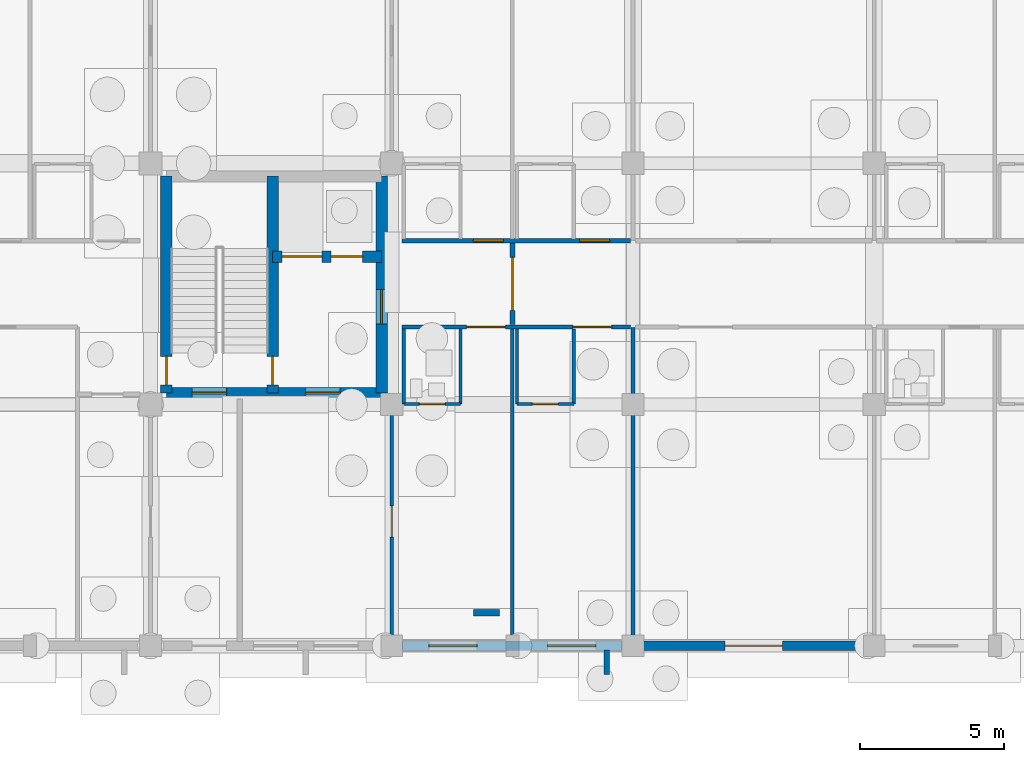
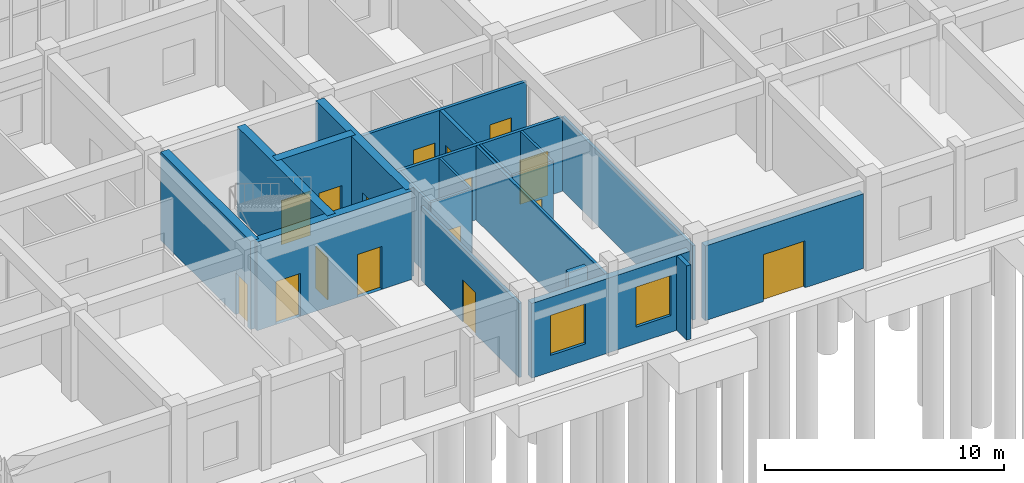
# One storey, part 156 of 192: 21 walls, 16 doors, 2 windows, 18 openings.
"""IFC4 building model written with IfcOpenShell, lengths in metres."""

from ifc_helpers import new_model, si_unit, direction, frame, frame_2d, origin, place, context, subcontext, project, spatial, rectangle, extrude, material, layer, layer_set, type_object, element, fill, save


model = new_model("IFC4")

# Units and contexts
model_context = context("Model", 3, precision=1e-05, world=origin(), true_north=direction((0.0, 1.0)))
body_context = subcontext(model_context, "Body", "Model", "MODEL_VIEW")
ifc_project = project(units=[si_unit("LENGTHUNIT", "METRE"), si_unit("AREAUNIT", "SQUARE_METRE"), si_unit("VOLUMEUNIT", "CUBIC_METRE"), si_unit("PLANEANGLEUNIT", "RADIAN"), si_unit("MASSUNIT", "GRAM", prefix="KILO")], contexts=[model_context])

# Site, building, storey
site_placement = place(None, origin())
site = spatial("IfcSite", under=ifc_project, at=site_placement, CompositionType="ELEMENT")
building_placement = place(site_placement, origin())
building = spatial("IfcBuilding", under=site, at=building_placement, Name="Trelvath General Hospital", CompositionType="ELEMENT")
storey_placement = place(building_placement, origin())
storey = spatial("IfcBuildingStorey", under=building, at=storey_placement, Name="L00", CompositionType="ELEMENT", Elevation=0.0)

# Wall
ifc_material_1 = material(Name="Precast concrete C40/50", Category="concrete")
ifc_layer_1 = layer(ifc_material_1, 0.199951171875)
ifc_layer_set_1 = layer_set([ifc_layer_1], Name="Precast concrete C40/50")
wall_type_1 = type_object("IfcWallType", Name="BriseSoleilRib 200", PredefinedType="ELEMENTEDWALL", material=ifc_layer_set_1)
wall_1_placement = place(storey_placement, frame((108.28955078125, -0.14990234375, 0.0), z_axis=(0.0, 0.0, 1.0), x_axis=(0.0, -1.0, 0.0)))
element("IfcWall", 1, at=wall_1_placement, inside=storey, type_object=wall_type_1, Name="Precast Concrete Brise-Soleil Rib Fin L00-44", PredefinedType="ELEMENTEDWALL", context=body_context, shape_type="SweptSolid", body=[
    extrude(rectangle(XDim=0.85009765625, YDim=0.199951171875, at=frame_2d((0.425048828125, 0.0))), origin(), (0.0, 0.0, 1.0), 3.800048828125),
])

# Wall, openings, doors
ifc_material_2 = material(Name="Gypsum acoustic steel-stud partition", Category="steel")
ifc_layer_2 = layer(ifc_material_2, 0.14990234375)
ifc_layer_set_2 = layer_set([ifc_layer_2], Name="Gypsum acoustic steel-stud partition")
wall_type_2 = type_object("IfcWallType", Name="ClinicalPartition 150", PredefinedType="PARTITIONING", material=ifc_layer_set_2)
wall_2_placement = place(storey_placement, frame((101.159912109375, 11.10009765625, 0.0), z_axis=(0.0, 0.0, 1.0), x_axis=(1.0, 0.0, 0.0)))
wall_2 = element("IfcWall", 2, at=wall_2_placement, inside=storey, type_object=wall_type_2, Name="Corridor Partition L00-114", PredefinedType="PARTITIONING", context=body_context, shape_type="SweptSolid", body=[
    extrude(rectangle(XDim=7.960205078125, YDim=0.14990234375, at=frame_2d((3.97998046875, 0.0))), origin(), (0.0, 0.0, 1.0), 3.800048828125),
])
opening_1_placement = place(wall_2_placement, frame((2.25, 0.0, 0.0)))
opening_1 = element("IfcOpeningElement", 3, at=opening_1_placement, cuts=wall_2, Name="Opening D-0-0339", PredefinedType="OPENING", context=body_context, shape_type="SweptSolid", body=[
    extrude(rectangle(XDim=1.35009765625, YDim=2.25, at=frame_2d((0.675048828125, 1.125))), frame((0.0, 0.0849609375, 0.0), z_axis=(0.0, -1.0, 0.0), x_axis=(1.0, 0.0, 0.0)), (0.0, 0.0, 1.0), 0.169921875),
])
opening_2_placement = place(wall_2_placement, frame((5.949951171875, 0.0, 0.0)))
opening_2 = element("IfcOpeningElement", 4, at=opening_2_placement, cuts=wall_2, Name="Opening D-0-0340", PredefinedType="OPENING", context=body_context, shape_type="SweptSolid", body=[
    extrude(rectangle(XDim=1.35009765625, YDim=2.25, at=frame_2d((0.675048828125, 1.125))), frame((0.0, 0.0849609375, 0.0), z_axis=(0.0, -1.0, 0.0), x_axis=(1.0, 0.0, 0.0)), (0.0, 0.0, 1.0), 0.169921875),
])
ifc_material_3 = material(Name="Airtight isolation bed door")
door_type_1 = type_object("IfcDoorType", Name="Door PatientIso 1350x2250", OperationType="NOTDEFINED", PredefinedType="DOOR", material=ifc_material_3)
door_1_placement = place(opening_1_placement, origin())
door_1 = element("IfcDoor", 5, at=door_1_placement, inside=storey, type_object=door_type_1, Name="Patient Room Door L00-339", OperationType="SINGLE_SWING_LEFT", OverallHeight=2.25, OverallWidth=1.35009765625, PredefinedType="DOOR", context=body_context, shape_type="SweptSolid", body=[
    extrude(rectangle(XDim=1.35009765625, YDim=2.25, at=frame_2d((0.675048828125, 1.125))), frame((0.0, 0.02490234375, 0.0), z_axis=(0.0, -1.0, 0.0), x_axis=(1.0, 0.0, 0.0)), (0.0, 0.0, 1.0), 0.050048828125),
])
fill(opening_1, door_1)
door_2_placement = place(opening_2_placement, origin())
door_2 = element("IfcDoor", 6, at=door_2_placement, inside=storey, type_object=door_type_1, Name="Patient Room Door L00-340", OperationType="SINGLE_SWING_RIGHT", OverallHeight=2.25, OverallWidth=1.35009765625, PredefinedType="DOOR", context=body_context, shape_type="SweptSolid", body=[
    extrude(rectangle(XDim=1.35009765625, YDim=2.25, at=frame_2d((0.675048828125, 1.125))), frame((0.0, 0.02490234375, 0.0), z_axis=(0.0, -1.0, 0.0), x_axis=(1.0, 0.0, 0.0)), (0.0, 0.0, 1.0), 0.050048828125),
])
fill(opening_2, door_2)

wall_3_placement = place(storey_placement, frame((109.1201171875, 14.10009765625, 0.0), z_axis=(0.0, 0.0, 1.0), x_axis=(-1.0, 0.0, 0.0)))
wall_3 = element("IfcWall", 7, at=wall_3_placement, inside=storey, type_object=wall_type_2, Name="Corridor Partition N L00-123", PredefinedType="PARTITIONING", context=body_context, shape_type="SweptSolid", body=[
    extrude(rectangle(XDim=7.960205078125, YDim=0.14990234375, at=frame_2d((3.97998046875, 0.0))), origin(), (0.0, 0.0, 1.0), 3.800048828125),
])
opening_3_placement = place(wall_3_placement, frame((0.72998046875, 0.0, 0.0)))
opening_3 = element("IfcOpeningElement", 8, at=opening_3_placement, cuts=wall_3, Name="Opening D-0-0343", PredefinedType="OPENING", context=body_context, shape_type="SweptSolid", body=[
    extrude(rectangle(XDim=1.050048828125, YDim=2.199951171875, at=frame_2d((0.52490234375, 1.10009765625))), frame((0.0, 0.0849609375, 0.0), z_axis=(0.0, -1.0, 0.0), x_axis=(1.0, 0.0, 0.0)), (0.0, 0.0, 1.0), 0.169921875),
])
opening_4_placement = place(wall_3_placement, frame((4.429931640625, 0.0, 0.0)))
opening_4 = element("IfcOpeningElement", 9, at=opening_4_placement, cuts=wall_3, Name="Opening D-0-0344", PredefinedType="OPENING", context=body_context, shape_type="SweptSolid", body=[
    extrude(rectangle(XDim=1.050048828125, YDim=2.199951171875, at=frame_2d((0.52490234375, 1.10009765625))), frame((0.0, 0.0849609375, 0.0), z_axis=(0.0, -1.0, 0.0), x_axis=(1.0, 0.0, 0.0)), (0.0, 0.0, 1.0), 0.169921875),
])
ifc_material_4 = material(Name="Acoustic hospital timber leaf", Category="wood")
door_type_2 = type_object("IfcDoorType", Name="Door Consult 1050x2200", OperationType="NOTDEFINED", PredefinedType="DOOR", material=ifc_material_4)
door_3_placement = place(opening_3_placement, origin())
door_3 = element("IfcDoor", 10, at=door_3_placement, inside=storey, type_object=door_type_2, Name="Patient Room Door N L00-343", OperationType="SINGLE_SWING_LEFT", OverallHeight=2.199951171875, OverallWidth=1.050048828125, PredefinedType="DOOR", context=body_context, shape_type="SweptSolid", body=[
    extrude(rectangle(XDim=1.050048828125, YDim=2.199951171875, at=frame_2d((0.52490234375, 1.10009765625))), frame((0.0, 0.02490234375, 0.0), z_axis=(0.0, -1.0, 0.0), x_axis=(1.0, 0.0, 0.0)), (0.0, 0.0, 1.0), 0.050048828125),
])
fill(opening_3, door_3)
door_4_placement = place(opening_4_placement, origin())
door_4 = element("IfcDoor", 11, at=door_4_placement, inside=storey, type_object=door_type_2, Name="Patient Room Door N L00-344", OperationType="SINGLE_SWING_LEFT", OverallHeight=2.199951171875, OverallWidth=1.050048828125, PredefinedType="DOOR", context=body_context, shape_type="SweptSolid", body=[
    extrude(rectangle(XDim=1.050048828125, YDim=2.199951171875, at=frame_2d((0.52490234375, 1.10009765625))), frame((0.0, 0.02490234375, 0.0), z_axis=(0.0, -1.0, 0.0), x_axis=(1.0, 0.0, 0.0)), (0.0, 0.0, 1.0), 0.050048828125),
])
fill(opening_4, door_4)

ifc_material_5 = material(Name="Concrete C40/50", Category="concrete")
ifc_layer_3 = layer(ifc_material_5, 0.39990234375)
ifc_layer_set_3 = layer_set([ifc_layer_3], Name="Concrete C40/50")
wall_type_3 = type_object("IfcWallType", Name="CoreShearWall 400", PredefinedType="SHEAR", material=ifc_layer_set_3)
wall_4_placement = place(storey_placement, frame((92.949951171875, 8.800048828125, 0.0), z_axis=(0.0, 0.0, 1.0), x_axis=(1.0, 0.0, 0.0)))
wall_4 = element("IfcWall", 12, at=wall_4_placement, inside=storey, type_object=wall_type_3, Name="Core Shear Wall C5 S L00", PredefinedType="SHEAR", context=body_context, shape_type="SweptSolid", body=[
    extrude(rectangle(XDim=7.5, YDim=0.39990234375, at=frame_2d((3.75, 0.0))), origin(), (0.0, 0.0, 1.0), 4.52001953125),
])
opening_5_placement = place(wall_4_placement, frame((4.85009765625, 0.0, 0.0)))
opening_5 = element("IfcOpeningElement", 13, at=opening_5_placement, cuts=wall_4, Name="Opening FD-LS50", PredefinedType="OPENING", context=body_context, shape_type="SweptSolid", body=[
    extrude(rectangle(XDim=1.199951171875, YDim=2.199951171875, at=frame_2d((0.60009765625, 1.10009765625))), frame((0.0, 0.2099609375, 0.0), z_axis=(0.0, -1.0, 0.0), x_axis=(1.0, 0.0, 0.0)), (0.0, 0.0, 1.0), 0.419921875),
])
opening_6_placement = place(wall_4_placement, frame((0.89990234375, 0.0, 0.0)))
opening_6 = element("IfcOpeningElement", 14, at=opening_6_placement, cuts=wall_4, Name="Opening FD-EX5", PredefinedType="OPENING", context=body_context, shape_type="SweptSolid", body=[
    extrude(rectangle(XDim=1.199951171875, YDim=2.199951171875, at=frame_2d((0.60009765625, 1.10009765625))), frame((0.0, 0.2099609375, 0.0), z_axis=(0.0, -1.0, 0.0), x_axis=(1.0, 0.0, 0.0)), (0.0, 0.0, 1.0), 0.419921875),
])
ifc_material_6 = material(Name="Fire-rated steel door", Category="steel")
door_type_3 = type_object("IfcDoorType", Name="Door FireLobby 1200x2200", OperationType="NOTDEFINED", PredefinedType="DOOR", material=ifc_material_6)
door_5_placement = place(opening_5_placement, origin())
door_5 = element("IfcDoor", 15, at=door_5_placement, inside=storey, type_object=door_type_3, Name="Fire Lobby South Door C5 L00", OperationType="SINGLE_SWING_LEFT", OverallHeight=2.199951171875, OverallWidth=1.199951171875, PredefinedType="DOOR", context=body_context, shape_type="SweptSolid", body=[
    extrude(rectangle(XDim=1.199951171875, YDim=2.199951171875, at=frame_2d((0.60009765625, 1.10009765625))), frame((0.0, 0.02490234375, 0.0), z_axis=(0.0, -1.0, 0.0), x_axis=(1.0, 0.0, 0.0)), (0.0, 0.0, 1.0), 0.050048828125),
])
fill(opening_5, door_5)
door_6_placement = place(opening_6_placement, origin())
door_6 = element("IfcDoor", 16, at=door_6_placement, inside=storey, type_object=door_type_3, Name="Exit Stair Discharge Door ST5 L00", OperationType="SINGLE_SWING_RIGHT", OverallHeight=2.199951171875, OverallWidth=1.199951171875, PredefinedType="DOOR", context=body_context, shape_type="SweptSolid", body=[
    extrude(rectangle(XDim=1.199951171875, YDim=2.199951171875, at=frame_2d((0.60009765625, 1.10009765625))), frame((0.0, 0.02490234375, 0.0), z_axis=(0.0, -1.0, 0.0), x_axis=(1.0, 0.0, 0.0)), (0.0, 0.0, 1.0), 0.050048828125),
])
fill(opening_6, door_6)

# Wall, opening, door
wall_5_placement = place(storey_placement, frame((92.949951171875, 8.800048828125, 0.0), z_axis=(0.0, 0.0, 1.0), x_axis=(0.0, 1.0, 0.0)))
wall_5 = element("IfcWall", 17, at=wall_5_placement, inside=storey, type_object=wall_type_3, Name="Core Shear Wall C5 W L00", PredefinedType="SHEAR", context=body_context, shape_type="SweptSolid", body=[
    extrude(rectangle(XDim=7.550048828125, YDim=0.39990234375, at=frame_2d((3.77490234375, 0.0))), origin(), (0.0, 0.0, 1.0), 4.52001953125),
])
opening_7_placement = place(wall_5_placement, frame((0.280029296875, 0.0, 0.0)))
opening_7 = element("IfcOpeningElement", 18, at=opening_7_placement, cuts=wall_5, Name="Opening FD-SW50", PredefinedType="OPENING", context=body_context, shape_type="SweptSolid", body=[
    extrude(rectangle(XDim=1.0, YDim=2.14990234375, at=frame_2d((0.5, 1.074951171875))), frame((0.0, 0.2099609375, 0.0), z_axis=(0.0, -1.0, 0.0), x_axis=(1.0, 0.0, 0.0)), (0.0, 0.0, 1.0), 0.419921875),
])
ifc_material_7 = material(Name="Fire-rated steel door", Category="steel")
door_type_4 = type_object("IfcDoorType", Name="Door FireStair 1100x2150", OperationType="NOTDEFINED", PredefinedType="DOOR", material=ifc_material_7)
door_7_placement = place(opening_7_placement, origin())
door_7 = element("IfcDoor", 19, at=door_7_placement, inside=storey, type_object=door_type_4, Name="West Corridor Stair Door ST5 L00", OperationType="SINGLE_SWING_RIGHT", OverallHeight=2.14990234375, OverallWidth=1.0, PredefinedType="DOOR", context=body_context, shape_type="SweptSolid", body=[
    extrude(rectangle(XDim=1.0, YDim=2.14990234375, at=frame_2d((0.5, 1.074951171875))), frame((0.0, 0.02490234375, 0.0), z_axis=(0.0, -1.0, 0.0), x_axis=(1.0, 0.0, 0.0)), (0.0, 0.0, 1.0), 0.050048828125),
])
fill(opening_7, door_7)

wall_6_placement = place(storey_placement, frame((100.449951171875, 8.800048828125, 0.0), z_axis=(0.0, 0.0, 1.0), x_axis=(0.0, 1.0, 0.0)))
wall_6 = element("IfcWall", 20, at=wall_6_placement, inside=storey, type_object=wall_type_3, Name="Core Shear Wall C5 E L00", PredefinedType="SHEAR", context=body_context, shape_type="SweptSolid", body=[
    extrude(rectangle(XDim=7.550048828125, YDim=0.39990234375, at=frame_2d((3.77490234375, 0.0))), origin(), (0.0, 0.0, 1.0), 4.52001953125),
])
opening_8_placement = place(wall_6_placement, frame((2.39990234375, 0.0, 0.0)))
opening_8 = element("IfcOpeningElement", 21, at=opening_8_placement, cuts=wall_6, Name="Opening FD-LE50", PredefinedType="OPENING", context=body_context, shape_type="SweptSolid", body=[
    extrude(rectangle(XDim=1.199951171875, YDim=2.199951171875, at=frame_2d((0.60009765625, 1.10009765625))), frame((0.0, 0.2099609375, 0.0), z_axis=(0.0, -1.0, 0.0), x_axis=(1.0, 0.0, 0.0)), (0.0, 0.0, 1.0), 0.419921875),
])
door_8_placement = place(opening_8_placement, origin())
door_8 = element("IfcDoor", 22, at=door_8_placement, inside=storey, type_object=door_type_3, Name="Fire Lobby East Corridor Door C5 L00", OperationType="SINGLE_SWING_RIGHT", OverallHeight=2.199951171875, OverallWidth=1.199951171875, PredefinedType="DOOR", context=body_context, shape_type="SweptSolid", body=[
    extrude(rectangle(XDim=1.199951171875, YDim=2.199951171875, at=frame_2d((0.60009765625, 1.10009765625))), frame((0.0, 0.02490234375, 0.0), z_axis=(0.0, -1.0, 0.0), x_axis=(1.0, 0.0, 0.0)), (0.0, 0.0, 1.0), 0.050048828125),
])
fill(opening_8, door_8)

wall_7_placement = place(storey_placement, frame((96.64990234375, 8.800048828125, 0.0), z_axis=(0.0, 0.0, 1.0), x_axis=(0.0, 1.0, 0.0)))
wall_7 = element("IfcWall", 23, at=wall_7_placement, inside=storey, type_object=wall_type_3, Name="Core Shear Wall C5 SPINE L00", PredefinedType="SHEAR", context=body_context, shape_type="SweptSolid", body=[
    extrude(rectangle(XDim=7.550048828125, YDim=0.39990234375, at=frame_2d((3.77490234375, 0.0))), origin(), (0.0, 0.0, 1.0), 4.52001953125),
])
opening_9_placement = place(wall_7_placement, frame((0.280029296875, 0.0, 0.0)))
opening_9 = element("IfcOpeningElement", 24, at=opening_9_placement, cuts=wall_7, Name="Opening FD-S50", PredefinedType="OPENING", context=body_context, shape_type="SweptSolid", body=[
    extrude(rectangle(XDim=1.0, YDim=2.14990234375, at=frame_2d((0.5, 1.074951171875))), frame((0.0, 0.2099609375, 0.0), z_axis=(0.0, -1.0, 0.0), x_axis=(1.0, 0.0, 0.0)), (0.0, 0.0, 1.0), 0.419921875),
])
door_9_placement = place(opening_9_placement, origin())
door_9 = element("IfcDoor", 25, at=door_9_placement, inside=storey, type_object=door_type_4, Name="Exit Stair Door ST5 L00", OperationType="SINGLE_SWING_LEFT", OverallHeight=2.14990234375, OverallWidth=1.0, PredefinedType="DOOR", context=body_context, shape_type="SweptSolid", body=[
    extrude(rectangle(XDim=1.0, YDim=2.14990234375, at=frame_2d((0.5, 1.074951171875))), frame((0.0, 0.02490234375, 0.0), z_axis=(0.0, -1.0, 0.0), x_axis=(1.0, 0.0, 0.0)), (0.0, 0.0, 1.0), 0.050048828125),
])
fill(opening_9, door_9)

# Wall, openings, doors
wall_8_placement = place(storey_placement, frame((96.64990234375, 13.550048828125, 0.0), z_axis=(0.0, 0.0, 1.0), x_axis=(1.0, 0.0, 0.0)))
wall_8 = element("IfcWall", 26, at=wall_8_placement, inside=storey, type_object=wall_type_3, Name="Core Shear Wall C5 SHAFT L00", PredefinedType="SHEAR", context=body_context, shape_type="SweptSolid", body=[
    extrude(rectangle(XDim=3.800048828125, YDim=0.39990234375, at=frame_2d((1.89990234375, 0.0))), origin(), (0.0, 0.0, 1.0), 4.52001953125),
])
opening_10_placement = place(wall_8_placement, frame((0.320068359375, 0.0, 0.0)))
opening_10 = element("IfcOpeningElement", 27, at=opening_10_placement, cuts=wall_8, Name="Opening LD-BD4-0", PredefinedType="OPENING", context=body_context, shape_type="SweptSolid", body=[
    extrude(rectangle(XDim=1.39990234375, YDim=2.25, at=frame_2d((0.699951171875, 1.125))), frame((0.0, 0.2099609375, 0.0), z_axis=(0.0, -1.0, 0.0), x_axis=(1.0, 0.0, 0.0)), (0.0, 0.0, 1.0), 0.419921875),
])
opening_11_placement = place(wall_8_placement, frame((2.0400390625, 0.0, 0.0)))
opening_11 = element("IfcOpeningElement", 28, at=opening_11_placement, cuts=wall_8, Name="Opening LD-PA2-0", PredefinedType="OPENING", context=body_context, shape_type="SweptSolid", body=[
    extrude(rectangle(XDim=1.10009765625, YDim=2.14990234375, at=frame_2d((0.550048828125, 1.074951171875))), frame((0.0, 0.2099609375, 0.0), z_axis=(0.0, -1.0, 0.0), x_axis=(1.0, 0.0, 0.0)), (0.0, 0.0, 1.0), 0.419921875),
])
ifc_material_8 = material(Name="Stainless steel stretcher lift landing door", Category="steel")
door_type_5 = type_object("IfcDoorType", Name="Door LiftBed 1400x2250", OperationType="SLIDING_TO_LEFT", PredefinedType="DOOR", material=ifc_material_8)
door_10_placement = place(opening_10_placement, origin())
door_10 = element("IfcDoor", 29, at=door_10_placement, inside=storey, type_object=door_type_5, Name="Lift Landing Sliding Door LF-BD4 L00", OperationType="SLIDING_TO_LEFT", OverallHeight=2.25, OverallWidth=1.39990234375, PredefinedType="DOOR", context=body_context, shape_type="SweptSolid", body=[
    extrude(rectangle(XDim=1.39990234375, YDim=2.25, at=frame_2d((0.699951171875, 1.125))), frame((0.0, 0.02490234375, 0.0), z_axis=(0.0, -1.0, 0.0), x_axis=(1.0, 0.0, 0.0)), (0.0, 0.0, 1.0), 0.050048828125),
])
fill(opening_10, door_10)
ifc_material_9 = material(Name="Stainless steel lift landing sliding door", Category="steel")
door_type_6 = type_object("IfcDoorType", Name="Door LiftLanding 1100x2150", OperationType="SLIDING_TO_LEFT", PredefinedType="DOOR", material=ifc_material_9)
door_11_placement = place(opening_11_placement, origin())
door_11 = element("IfcDoor", 30, at=door_11_placement, inside=storey, type_object=door_type_6, Name="Lift Landing Sliding Door LF-PA2 L00", OperationType="SLIDING_TO_LEFT", OverallHeight=2.14990234375, OverallWidth=1.10009765625, PredefinedType="DOOR", context=body_context, shape_type="SweptSolid", body=[
    extrude(rectangle(XDim=1.10009765625, YDim=2.14990234375, at=frame_2d((0.550048828125, 1.074951171875))), frame((0.0, 0.02490234375, 0.0), z_axis=(0.0, -1.0, 0.0), x_axis=(1.0, 0.0, 0.0)), (0.0, 0.0, 1.0), 0.050048828125),
])
fill(opening_11, door_11)

# Walls
ifc_material_10 = material(Name="Moisture-resistant tile partition")
ifc_layer_4 = layer(ifc_material_10, 0.110107421875)
ifc_layer_set_4 = layer_set([ifc_layer_4], Name="Moisture-resistant tile partition")
wall_type_4 = type_object("IfcWallType", Name="EnSuiteWetWall 110", PredefinedType="PARTITIONING", material=ifc_layer_set_4)
for number, where, z_axis, x_axis, name in (
    (31, (101.219970703125, 8.419921875, 0.0), (0.0, 0.0, 1.0), (0.0, 1.0, 0.0), "En-Suite W Wall L00-116"),
    (32, (103.199951171875, 8.419921875, 0.0), (0.0, 0.0, 1.0), (0.0, 1.0, 0.0), "En-Suite E Wall L00-117"),
):
    element("IfcWall", number, at=place(storey_placement, frame(where, z_axis=z_axis, x_axis=x_axis)), inside=storey, type_object=wall_type_4, Name=name, PredefinedType="PARTITIONING", context=body_context, shape_type="SweptSolid", body=[
        extrude(rectangle(XDim=2.610107421875, YDim=0.110107421875, at=frame_2d((1.30517578125, 0.0))), origin(), (0.0, 0.0, 1.0), 3.800048828125),
    ])

# Wall, opening, door
wall_9_placement = place(storey_placement, frame((101.219970703125, 8.419921875, 0.0), z_axis=(0.0, 0.0, 1.0), x_axis=(1.0, 0.0, 0.0)))
wall_9 = element("IfcWall", 33, at=wall_9_placement, inside=storey, type_object=wall_type_4, Name="En-Suite Bathroom Partition L00-118", PredefinedType="PARTITIONING", context=body_context, shape_type="SweptSolid", body=[
    extrude(rectangle(XDim=1.97998046875, YDim=0.110107421875, at=frame_2d((0.989990234375, 0.0))), origin(), (0.0, 0.0, 1.0), 3.800048828125),
])
opening_12_placement = place(wall_9_placement, frame((0.5400390625, 0.0, 0.0)))
opening_12 = element("IfcOpeningElement", 34, at=opening_12_placement, cuts=wall_9, Name="Opening D-0-0341", PredefinedType="OPENING", context=body_context, shape_type="SweptSolid", body=[
    extrude(rectangle(XDim=0.89990234375, YDim=2.10009765625, at=frame_2d((0.449951171875, 1.050048828125))), frame((0.0, 0.06494140625, 0.0), z_axis=(0.0, -1.0, 0.0), x_axis=(1.0, 0.0, 0.0)), (0.0, 0.0, 1.0), 0.130126953125),
])
ifc_material_11 = material(Name="Moisture-sealed timber leaf", Category="wood")
door_type_7 = type_object("IfcDoorType", Name="Door EnSuite 900x2100", OperationType="NOTDEFINED", PredefinedType="DOOR", material=ifc_material_11)
door_12_placement = place(opening_12_placement, origin())
door_12 = element("IfcDoor", 35, at=door_12_placement, inside=storey, type_object=door_type_7, Name="En-Suite Bathroom Door L00-341", OperationType="SINGLE_SWING_LEFT", OverallHeight=2.10009765625, OverallWidth=0.89990234375, PredefinedType="DOOR", context=body_context, shape_type="SweptSolid", body=[
    extrude(rectangle(XDim=0.89990234375, YDim=2.10009765625, at=frame_2d((0.449951171875, 1.050048828125))), frame((0.0, 0.02490234375, 0.0), z_axis=(0.0, -1.0, 0.0), x_axis=(1.0, 0.0, 0.0)), (0.0, 0.0, 1.0), 0.050048828125),
])
fill(opening_12, door_12)

# Walls
for number, where, z_axis, x_axis, name in (
    (36, (105.159912109375, 8.419921875, 0.0), (0.0, 0.0, 1.0), (0.0, 1.0, 0.0), "En-Suite W Wall L00-119"),
    (37, (107.139892578125, 8.419921875, 0.0), (0.0, 0.0, 1.0), (0.0, 1.0, 0.0), "En-Suite E Wall L00-120"),
):
    element("IfcWall", number, at=place(storey_placement, frame(where, z_axis=z_axis, x_axis=x_axis)), inside=storey, type_object=wall_type_4, Name=name, PredefinedType="PARTITIONING", context=body_context, shape_type="SweptSolid", body=[
        extrude(rectangle(XDim=2.610107421875, YDim=0.110107421875, at=frame_2d((1.30517578125, 0.0))), origin(), (0.0, 0.0, 1.0), 3.800048828125),
    ])

# Wall, opening, door
wall_10_placement = place(storey_placement, frame((105.159912109375, 8.419921875, 0.0), z_axis=(0.0, 0.0, 1.0), x_axis=(1.0, 0.0, 0.0)))
wall_10 = element("IfcWall", 38, at=wall_10_placement, inside=storey, type_object=wall_type_4, Name="En-Suite Bathroom Partition L00-121", PredefinedType="PARTITIONING", context=body_context, shape_type="SweptSolid", body=[
    extrude(rectangle(XDim=1.97998046875, YDim=0.110107421875, at=frame_2d((0.989990234375, 0.0))), origin(), (0.0, 0.0, 1.0), 3.800048828125),
])
opening_13_placement = place(wall_10_placement, frame((0.5400390625, 0.0, 0.0)))
opening_13 = element("IfcOpeningElement", 39, at=opening_13_placement, cuts=wall_10, Name="Opening D-0-0342", PredefinedType="OPENING", context=body_context, shape_type="SweptSolid", body=[
    extrude(rectangle(XDim=0.89990234375, YDim=2.10009765625, at=frame_2d((0.449951171875, 1.050048828125))), frame((0.0, 0.06494140625, 0.0), z_axis=(0.0, -1.0, 0.0), x_axis=(1.0, 0.0, 0.0)), (0.0, 0.0, 1.0), 0.130126953125),
])
door_13_placement = place(opening_13_placement, origin())
door_13 = element("IfcDoor", 40, at=door_13_placement, inside=storey, type_object=door_type_7, Name="En-Suite Bathroom Door L00-342", OperationType="SINGLE_SWING_RIGHT", OverallHeight=2.10009765625, OverallWidth=0.89990234375, PredefinedType="DOOR", context=body_context, shape_type="SweptSolid", body=[
    extrude(rectangle(XDim=0.89990234375, YDim=2.10009765625, at=frame_2d((0.449951171875, 1.050048828125))), frame((0.0, 0.02490234375, 0.0), z_axis=(0.0, -1.0, 0.0), x_axis=(1.0, 0.0, 0.0)), (0.0, 0.0, 1.0), 0.050048828125),
])
fill(opening_13, door_13)

# Wall, openings, windows
ifc_material_12 = material(Name="Concrete C35/45", Category="concrete")
ifc_layer_5 = layer(ifc_material_12, 0.320068359375)
ifc_layer_set_5 = layer_set([ifc_layer_5], Name="Concrete C35/45")
wall_type_5 = type_object("IfcWallType", Name="ExtThermalWall 320", PredefinedType="SOLIDWALL", material=ifc_layer_set_5)
wall_11_placement = place(storey_placement, frame((108.824951171875, 0.0, 0.0), z_axis=(0.0, 0.0, 1.0), x_axis=(-1.0, 0.0, 0.0)))
wall_11 = element("IfcWall", 41, at=wall_11_placement, inside=storey, type_object=wall_type_5, Name="Exterior Concrete Wall L00-68", PredefinedType="SOLIDWALL", context=body_context, shape_type="SweptSolid", body=[
    extrude(rectangle(XDim=7.64990234375, YDim=0.320068359375, at=frame_2d((3.824951171875, 0.0))), origin(), (0.0, 0.0, 1.0), 3.820068359375),
])
opening_14_placement = place(wall_11_placement, frame((0.91943359375, 0.0, 0.85009765625)))
opening_14 = element("IfcOpeningElement", 42, at=opening_14_placement, cuts=wall_11, Name="Opening WN-0-095", PredefinedType="OPENING", context=body_context, shape_type="SweptSolid", body=[
    extrude(rectangle(XDim=1.679931640625, YDim=2.050048828125, at=frame_2d((0.83984375, 1.02490234375))), frame((0.0, 0.169921875, 0.0), z_axis=(0.0, -1.0, 0.0), x_axis=(1.0, 0.0, 0.0)), (0.0, 0.0, 1.0), 0.340087890625),
])
opening_15_placement = place(wall_11_placement, frame((5.050537109375, 0.0, 0.85009765625)))
opening_15 = element("IfcOpeningElement", 43, at=opening_15_placement, cuts=wall_11, Name="Opening WN-0-096", PredefinedType="OPENING", context=body_context, shape_type="SweptSolid", body=[
    extrude(rectangle(XDim=1.679931640625, YDim=2.050048828125, at=frame_2d((0.83984375, 1.02490234375))), frame((0.0, 0.169921875, 0.0), z_axis=(0.0, -1.0, 0.0), x_axis=(1.0, 0.0, 0.0)), (0.0, 0.0, 1.0), 0.340087890625),
])
ifc_material_13 = material(Name="Low-E laminated glass", Category="glass")
window_type = type_object("IfcWindowType", Name="Window Cafe 1680x2050", PartitioningType="DOUBLE_PANEL_VERTICAL", PredefinedType="WINDOW", material=ifc_material_13)
window_1_placement = place(opening_14_placement, origin())
window_1 = element("IfcWindow", 44, at=window_1_placement, inside=storey, type_object=window_type, Name="Solar Reveal Window L00-95", OverallHeight=2.050048828125, OverallWidth=1.679931640625, PartitioningType="SINGLE_PANEL", PredefinedType="WINDOW", context=body_context, shape_type="SweptSolid", body=[
    extrude(rectangle(XDim=1.679931640625, YDim=2.050048828125, at=frame_2d((0.83984375, 1.02490234375))), frame((0.0, 0.030029296875, 0.0), z_axis=(0.0, -1.0, 0.0), x_axis=(1.0, 0.0, 0.0)), (0.0, 0.0, 1.0), 0.06005859375),
])
fill(opening_14, window_1)
window_2_placement = place(opening_15_placement, origin())
window_2 = element("IfcWindow", 45, at=window_2_placement, inside=storey, type_object=window_type, Name="Solar Reveal Window L00-96", OverallHeight=2.050048828125, OverallWidth=1.679931640625, PartitioningType="SINGLE_PANEL", PredefinedType="WINDOW", context=body_context, shape_type="SweptSolid", body=[
    extrude(rectangle(XDim=1.679931640625, YDim=2.050048828125, at=frame_2d((0.83984375, 1.02490234375))), frame((0.0, 0.030029296875, 0.0), z_axis=(0.0, -1.0, 0.0), x_axis=(1.0, 0.0, 0.0)), (0.0, 0.0, 1.0), 0.06005859375),
])
fill(opening_15, window_2)

# Wall, opening, door
wall_12_placement = place(storey_placement, frame((117.22509765625, 0.0, 0.0), z_axis=(0.0, 0.0, 1.0), x_axis=(-1.0, 0.0, 0.0)))
wall_12 = element("IfcWall", 46, at=wall_12_placement, inside=storey, type_object=wall_type_5, Name="Exterior Concrete Wall L00-72", PredefinedType="SOLIDWALL", context=body_context, shape_type="SweptSolid", body=[
    extrude(rectangle(XDim=7.650146484375, YDim=0.320068359375, at=frame_2d((3.8251953125, 0.0))), origin(), (0.0, 0.0, 1.0), 3.820068359375),
])
opening_16_placement = place(wall_12_placement, frame((2.824951171875, 0.0, 0.0)))
opening_16 = element("IfcOpeningElement", 47, at=opening_16_placement, cuts=wall_12, Name="Opening E08", PredefinedType="OPENING", context=body_context, shape_type="SweptSolid", body=[
    extrude(rectangle(XDim=2.0, YDim=2.39990234375, at=frame_2d((1.0, 1.199951171875))), frame((0.0, 0.169921875, 0.0), z_axis=(0.0, -1.0, 0.0), x_axis=(1.0, 0.0, 0.0)), (0.0, 0.0, 1.0), 0.340087890625),
])
ifc_material_14 = material(Name="Thermally broken glazed exit pair")
door_type_8 = type_object("IfcDoorType", Name="Door GradeExit 2000x2400", OperationType="DOUBLE_SWING_LEFT", PredefinedType="DOOR", material=ifc_material_14)
door_14_placement = place(opening_16_placement, origin())
door_14 = element("IfcDoor", 48, at=door_14_placement, inside=storey, type_object=door_type_8, Name="Pedestrian Final Exit Door E08", OperationType="DOUBLE_SWING_LEFT", OverallHeight=2.39990234375, OverallWidth=2.0, PredefinedType="DOOR", context=body_context, shape_type="SweptSolid", body=[
    extrude(rectangle(XDim=2.0, YDim=2.39990234375, at=frame_2d((1.0, 1.199951171875))), frame((0.0, 0.02490234375, 0.0), z_axis=(0.0, -1.0, 0.0), x_axis=(1.0, 0.0, 0.0)), (0.0, 0.0, 1.0), 0.050048828125),
])
fill(opening_16, door_14)

# Wall
ifc_material_15 = material(Name="Masonry service chase blockwork", Category="masonry")
ifc_layer_6 = layer(ifc_material_15, 0.239990234375)
ifc_layer_set_6 = layer_set([ifc_layer_6], Name="Masonry service chase blockwork")
wall_type_6 = type_object("IfcWallType", Name="PlumbingChaseWall 240", PredefinedType="PLUMBINGWALL", material=ifc_layer_set_6)
wall_13_placement = place(storey_placement, frame((103.64990234375, 1.14990234375, 0.0), z_axis=(0.0, 0.0, 1.0), x_axis=(1.0, 0.0, 0.0)))
element("IfcWall", 49, at=wall_13_placement, inside=storey, type_object=wall_type_6, Name="Medical Gas Plumbing Chase L00-122", PredefinedType="PLUMBINGWALL", context=body_context, shape_type="SweptSolid", body=[
    extrude(rectangle(XDim=0.900146484375, YDim=0.239990234375, at=frame_2d((0.4501953125, 0.0))), origin(), (0.0, 0.0, 1.0), 3.800048828125),
])

# Wall, opening, door
ifc_material_16 = material(Name="Masonry fire blockwork", Category="masonry")
ifc_layer_7 = layer(ifc_material_16, 0.179931640625)
ifc_layer_set_7 = layer_set([ifc_layer_7], Name="Masonry fire blockwork")
wall_type_7 = type_object("IfcWallType", Name="SmokeBarrierWall 180", PredefinedType="PARTITIONING", material=ifc_layer_set_7)
wall_14_placement = place(storey_placement, frame((105.0, 11.179931640625, 0.0), z_axis=(0.0, 0.0, 1.0), x_axis=(0.0, 1.0, 0.0)))
wall_14 = element("IfcWall", 50, at=wall_14_placement, inside=storey, type_object=wall_type_7, Name="Smoke Compartment Barrier L00-131", PredefinedType="PARTITIONING", context=body_context, shape_type="SweptSolid", body=[
    extrude(rectangle(XDim=2.840087890625, YDim=0.179931640625, at=frame_2d((1.419921875, 0.0))), origin(), (0.0, 0.0, 1.0), 3.800048828125),
])
opening_17_placement = place(wall_14_placement, frame((0.4951171875, 0.0, 0.0)))
opening_17 = element("IfcOpeningElement", 51, at=opening_17_placement, cuts=wall_14, Name="Opening SD-0-0347", PredefinedType="OPENING", context=body_context, shape_type="SweptSolid", body=[
    extrude(rectangle(XDim=1.85009765625, YDim=2.300048828125, at=frame_2d((0.925048828125, 1.14990234375))), frame((0.0, 0.099853515625, 0.0), z_axis=(0.0, -1.0, 0.0), x_axis=(1.0, 0.0, 0.0)), (0.0, 0.0, 1.0), 0.199951171875),
])
ifc_material_17 = material(Name="Fire-rated steel cross-corridor pair", Category="steel")
door_type_9 = type_object("IfcDoorType", Name="Door SmokeCross 1850x2300", OperationType="DOUBLE_SWING_LEFT", PredefinedType="DOOR", material=ifc_material_17)
door_15_placement = place(opening_17_placement, origin())
door_15 = element("IfcDoor", 52, at=door_15_placement, inside=storey, type_object=door_type_9, Name="Cross-Corridor Smoke Door L00-347", OperationType="SLIDING_TO_LEFT", OverallHeight=2.300048828125, OverallWidth=1.85009765625, PredefinedType="DOOR", context=body_context, shape_type="SweptSolid", body=[
    extrude(rectangle(XDim=1.85009765625, YDim=2.300048828125, at=frame_2d((0.925048828125, 1.14990234375))), frame((0.0, 0.02490234375, 0.0), z_axis=(0.0, -1.0, 0.0), x_axis=(1.0, 0.0, 0.0)), (0.0, 0.0, 1.0), 0.050048828125),
])
fill(opening_17, door_15)

ifc_material_18 = material(Name="Gypsum acoustic steel-stud partition", Category="steel")
ifc_layer_8 = layer(ifc_material_18, 0.1298828125)
ifc_layer_set_8 = layer_set([ifc_layer_8], Name="Gypsum acoustic steel-stud partition")
wall_type_8 = type_object("IfcWallType", Name="WardPartition 130", PredefinedType="PARTITIONING", material=ifc_layer_set_8)
wall_15_placement = place(storey_placement, frame((100.800048828125, 0.139892578125, 0.0), z_axis=(0.0, 0.0, 1.0), x_axis=(0.0, 1.0, 0.0)))
wall_15 = element("IfcWall", 53, at=wall_15_placement, inside=storey, type_object=wall_type_8, Name="Inter-Bay Ward Partition S L00-112", PredefinedType="PARTITIONING", context=body_context, shape_type="SweptSolid", body=[
    extrude(rectangle(XDim=8.210205078125, YDim=0.1298828125, at=frame_2d((4.10498046875, 0.0))), origin(), (0.0, 0.0, 1.0), 3.800048828125),
])
opening_18_placement = place(wall_15_placement, frame((3.639892578125, 0.0, 0.0)))
opening_18 = element("IfcOpeningElement", 54, at=opening_18_placement, cuts=wall_15, Name="Opening D-0-0337", PredefinedType="OPENING", context=body_context, shape_type="SweptSolid", body=[
    extrude(rectangle(XDim=1.080078125, YDim=2.14990234375, at=frame_2d((0.5400390625, 1.074951171875))), frame((0.0, 0.074951171875, 0.0), z_axis=(0.0, -1.0, 0.0), x_axis=(1.0, 0.0, 0.0)), (0.0, 0.0, 1.0), 0.14990234375),
])
ifc_material_19 = material(Name="Acoustic hospital timber leaf", Category="wood")
door_type_10 = type_object("IfcDoorType", Name="Door CleanSupply 1080x2150", OperationType="NOTDEFINED", PredefinedType="DOOR", material=ifc_material_19)
door_16_placement = place(opening_18_placement, origin())
door_16 = element("IfcDoor", 55, at=door_16_placement, inside=storey, type_object=door_type_10, Name="Clean Supply Connecting Door L00-337", OperationType="SINGLE_SWING_LEFT", OverallHeight=2.14990234375, OverallWidth=1.080078125, PredefinedType="DOOR", context=body_context, shape_type="SweptSolid", body=[
    extrude(rectangle(XDim=1.080078125, YDim=2.14990234375, at=frame_2d((0.5400390625, 1.074951171875))), frame((0.0, 0.02490234375, 0.0), z_axis=(0.0, -1.0, 0.0), x_axis=(1.0, 0.0, 0.0)), (0.0, 0.0, 1.0), 0.050048828125),
])
fill(opening_18, door_16)

# Walls
wall_16_placement = place(storey_placement, frame((105.0, 0.10009765625, 0.0), z_axis=(0.0, 0.0, 1.0), x_axis=(0.0, 1.0, 0.0)))
element("IfcWall", 56, at=wall_16_placement, inside=storey, type_object=wall_type_8, Name="Room Dividing Partition S L00-115", PredefinedType="PARTITIONING", context=body_context, shape_type="SweptSolid", body=[
    extrude(rectangle(XDim=10.929931640625, YDim=0.1298828125, at=frame_2d((5.46484375, 0.0))), origin(), (0.0, 0.0, 1.0), 3.800048828125),
])
wall_17_placement = place(storey_placement, frame((109.199951171875, 0.139892578125, 0.0), z_axis=(0.0, 0.0, 1.0), x_axis=(0.0, 1.0, 0.0)))
element("IfcWall", 57, at=wall_17_placement, inside=storey, type_object=wall_type_8, Name="Inter-Bay Ward Partition S L00-132", PredefinedType="PARTITIONING", context=body_context, shape_type="SweptSolid", body=[
    extrude(rectangle(XDim=10.940185546875, YDim=0.1298828125, at=frame_2d((5.47021484375, 0.0))), origin(), (0.0, 0.0, 1.0), 3.800048828125),
])

save(model, "model.ifc")
